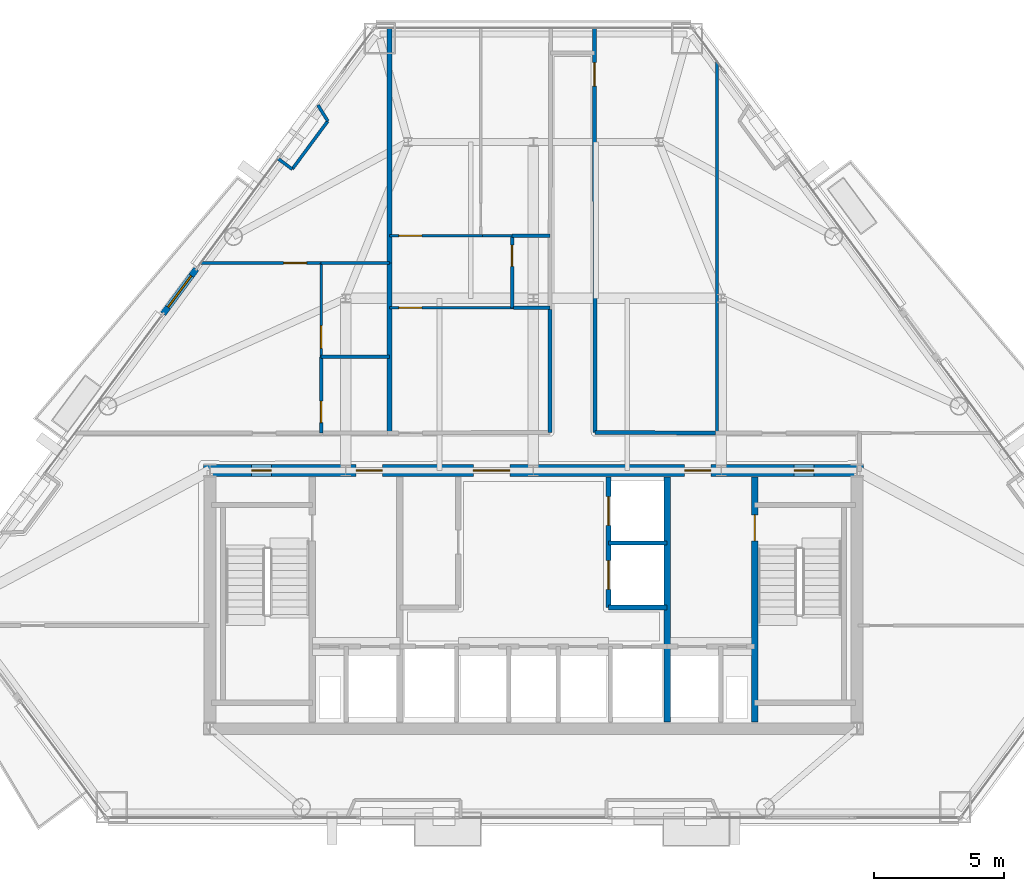
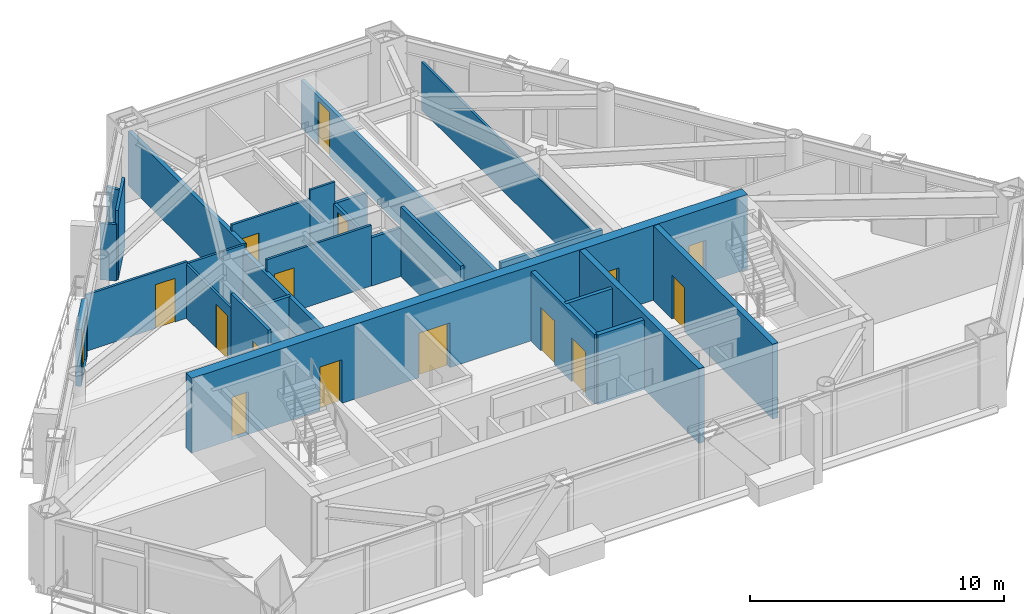
# One storey, part 9 of 13: 27 walls, 16 doors, 16 openings.
"""IFC4 building model written with IfcOpenShell, lengths in metres."""

from ifc_helpers import new_model, si_unit, direction, frame, frame_2d, origin, place, context, subcontext, project, spatial, rectangle, extrude, material, layer, layer_set, type_object, element, fill, save


model = new_model("IFC4")

# Units and contexts
model_context = context("Model", 3, precision=1e-05, world=origin(), true_north=direction((0.0, 1.0)))
body_context = subcontext(model_context, "Body", "Model", "MODEL_VIEW")
ifc_project = project(units=[si_unit("LENGTHUNIT", "METRE"), si_unit("AREAUNIT", "SQUARE_METRE"), si_unit("VOLUMEUNIT", "CUBIC_METRE"), si_unit("PLANEANGLEUNIT", "RADIAN"), si_unit("MASSUNIT", "GRAM", prefix="KILO")], contexts=[model_context])

# Site, building, storey
site_placement = place(None, origin())
site = spatial("IfcSite", under=ifc_project, at=site_placement, CompositionType="ELEMENT")
building_placement = place(site_placement, origin())
building = spatial("IfcBuilding", under=site, at=building_placement, Name="Talgorran Terracotta Tower", CompositionType="ELEMENT")
storey_placement = place(building_placement, frame((0.0, 0.0, 106.800048828125)))
storey = spatial("IfcBuildingStorey", under=building, at=storey_placement, Name="L27", CompositionType="ELEMENT", Elevation=106.800048828125)

# Wall, opening, door
ifc_material_1 = material(Name="Concrete C40/50", Category="concrete")
ifc_layer_1 = layer(ifc_material_1, 0.239990234375, Name="WT_BALCONY_SPAND")
ifc_layer_set_1 = layer_set([ifc_layer_1], Name="Concrete C40/50")
wall_type_1 = type_object("IfcWallType", Name="WT_BALCONY_SPAND", PredefinedType="STANDARD", material=ifc_layer_set_1)
wall_1_placement = place(storey_placement, frame((-12.92626953125, 3.52783203125, -0.01513671875), z_axis=(0.0, 0.0, 1.0), x_axis=(-0.594840056707, -0.803844081235, 0.0)))
wall_1 = element("IfcWall", 1, at=wall_1_placement, inside=storey, type_object=wall_type_1, Name="WL-L27-BALP-BAL-NW", PredefinedType="STANDARD", context=body_context, shape_type="SweptSolid", body=[
    extrude(rectangle(XDim=2.139892578125, YDim=0.239990234375, at=frame_2d((1.06982421875, 0.0))), origin(), (0.0, 0.0, 1.0), 2.728515625),
])
opening_1_placement = place(wall_1_placement, frame((0.320068359375, 0.0, 0.014892578125)))
opening_1 = element("IfcOpeningElement", 2, at=opening_1_placement, cuts=wall_1, Name="Opening D-BAL-L27-2", PredefinedType="OPENING", context=body_context, shape_type="SweptSolid", body=[
    extrude(rectangle(XDim=1.506, YDim=2.203951171875, at=frame_2d((0.75, 1.10205078125))), frame((0.0, 0.1298828125, 0.0), z_axis=(0.0, -1.0, 0.0), x_axis=(1.0, 0.0, 0.0)), (0.0, 0.0, 1.0), 0.260009765625),
])
ifc_material_2 = material(Name="Thermally Broken Aluminium", Category="aluminium")
door_type_1 = type_object("IfcDoorType", Name="DT_BALC_1500", OperationType="SLIDING_TO_RIGHT", PredefinedType="DOOR", material=ifc_material_2)
door_1_placement = place(opening_1_placement, origin())
door_1 = element("IfcDoor", 3, at=door_1_placement, inside=storey, type_object=door_type_1, Name="DR-L27-BAL-BAL-NW", OperationType="SLIDING_TO_RIGHT", OverallHeight=2.199951171875, OverallWidth=1.5, PredefinedType="DOOR", context=body_context, shape_type="SweptSolid", body=[
    extrude(rectangle(XDim=1.5, YDim=2.199951171875, at=frame_2d((0.75, 1.10009765625))), frame((0.0, 0.02490234375, 0.0), z_axis=(0.0, -1.0, 0.0), x_axis=(1.0, 0.0, 0.0)), (0.0, 0.0, 1.0), 0.050048828125),
])
fill(opening_1, door_1)

# Wall, openings, doors
ifc_material_3 = material(Name="Concrete C50/60", Category="concrete")
ifc_layer_2 = layer(ifc_material_3, 0.199951171875, Name="WT_CORE_200")
ifc_layer_set_2 = layer_set([ifc_layer_2], Name="Concrete C50/60")
wall_type_2 = type_object("IfcWallType", Name="WT_CORE_200", PredefinedType="SOLIDWALL", material=ifc_layer_set_2)
wall_2_placement = place(storey_placement, frame((2.8798828125, -9.449951171875, 0.0), z_axis=(0.0, 0.0, 1.0), x_axis=(0.0, 1.0, 0.0)))
wall_2 = element("IfcWall", 4, at=wall_2_placement, inside=storey, type_object=wall_type_2, Name="WL-L27-CW-V-E3", PredefinedType="SOLIDWALL", context=body_context, shape_type="SweptSolid", body=[
    extrude(rectangle(XDim=5.0, YDim=0.199951171875, at=frame_2d((2.5, 0.0))), origin(), (0.0, 0.0, 1.0), 3.349853515625),
])
opening_2_placement = place(wall_2_placement, frame((0.699951171875, 0.0, 0.0)))
opening_2 = element("IfcOpeningElement", 5, at=opening_2_placement, cuts=wall_2, Name="Opening LD-PLM1", PredefinedType="OPENING", context=body_context, shape_type="SweptSolid", body=[
    extrude(rectangle(XDim=1.10609765625, YDim=2.10409765625, at=frame_2d((0.550048828125, 1.052001953125))), frame((0.0, 0.10986328125, 0.0), z_axis=(0.0, -1.0, 0.0), x_axis=(1.0, 0.0, 0.0)), (0.0, 0.0, 1.0), 0.219970703125),
])
opening_3_placement = place(wall_2_placement, frame((3.14990234375, 0.0, 0.0)))
opening_3 = element("IfcOpeningElement", 6, at=opening_3_placement, cuts=wall_2, Name="Opening LD-PLM2", PredefinedType="OPENING", context=body_context, shape_type="SweptSolid", body=[
    extrude(rectangle(XDim=1.10609765625, YDim=2.10409765625, at=frame_2d((0.550048828125, 1.052001953125))), frame((0.0, 0.10986328125, 0.0), z_axis=(0.0, -1.0, 0.0), x_axis=(1.0, 0.0, 0.0)), (0.0, 0.0, 1.0), 0.219970703125),
])
ifc_material_4 = material(Name="Brushed Stainless Steel Grade 304", Category="steel")
door_type_2 = type_object("IfcDoorType", Name="DT_LIFT_LD1100", OperationType="DOUBLE_DOOR_SLIDING", PredefinedType="DOOR", material=ifc_material_4)
door_2_placement = place(opening_2_placement, origin())
door_2 = element("IfcDoor", 7, at=door_2_placement, inside=storey, type_object=door_type_2, Name="L27 Lift Landing Door LD-PLM1", OperationType="DOUBLE_DOOR_SLIDING", OverallHeight=2.10009765625, OverallWidth=1.10009765625, PredefinedType="DOOR", context=body_context, shape_type="SweptSolid", body=[
    extrude(rectangle(XDim=1.10009765625, YDim=2.10009765625, at=frame_2d((0.550048828125, 1.050048828125))), frame((0.0, 0.02490234375, 0.0), z_axis=(0.0, -1.0, 0.0), x_axis=(1.0, 0.0, 0.0)), (0.0, 0.0, 1.0), 0.050048828125),
])
fill(opening_2, door_2)
door_3_placement = place(opening_3_placement, origin())
door_3 = element("IfcDoor", 8, at=door_3_placement, inside=storey, type_object=door_type_2, Name="L27 Lift Landing Door LD-PLM2", OperationType="DOUBLE_DOOR_SLIDING", OverallHeight=2.10009765625, OverallWidth=1.10009765625, PredefinedType="DOOR", context=body_context, shape_type="SweptSolid", body=[
    extrude(rectangle(XDim=1.10009765625, YDim=2.10009765625, at=frame_2d((0.550048828125, 1.050048828125))), frame((0.0, 0.02490234375, 0.0), z_axis=(0.0, -1.0, 0.0), x_axis=(1.0, 0.0, 0.0)), (0.0, 0.0, 1.0), 0.050048828125),
])
fill(opening_3, door_3)

# Wall
wall_3_placement = place(storey_placement, frame((2.8798828125, -9.449951171875, 0.0), z_axis=(0.0, 0.0, 1.0), x_axis=(1.0, 0.0, 0.0)))
element("IfcWall", 9, at=wall_3_placement, inside=storey, type_object=wall_type_2, Name="WL-L27-CW-H-E4", PredefinedType="SOLIDWALL", context=body_context, shape_type="SweptSolid", body=[
    extrude(rectangle(XDim=2.240234375, YDim=0.199951171875, at=frame_2d((1.1201171875, 0.0))), origin(), (0.0, 0.0, 1.0), 3.349853515625),
])

# Wall, opening, door
ifc_layer_3 = layer(ifc_material_3, 0.25, Name="WT_CORE_250")
ifc_layer_set_3 = layer_set([ifc_layer_3], Name="Concrete C50/60")
wall_type_3 = type_object("IfcWallType", Name="WT_CORE_250", PredefinedType="SHEAR", material=ifc_layer_set_3)
wall_4_placement = place(storey_placement, frame((8.47998046875, -13.85009765625, 0.0), z_axis=(0.0, 0.0, 1.0), x_axis=(0.0, 1.0, 0.0)))
wall_4 = element("IfcWall", 10, at=wall_4_placement, inside=storey, type_object=wall_type_3, Name="WL-L27-CW-V-E1", PredefinedType="SHEAR", context=body_context, shape_type="SweptSolid", body=[
    extrude(rectangle(XDim=9.400146484375, YDim=0.25, at=frame_2d((4.7001953125, 0.0))), origin(), (0.0, 0.0, 1.0), 3.599853515625),
])
opening_4_placement = place(wall_4_placement, frame((6.949951171875, 0.0, 0.0)))
opening_4 = element("IfcOpeningElement", 11, at=opening_4_placement, cuts=wall_4, Name="Opening DR-ST02", PredefinedType="OPENING", context=body_context, shape_type="SweptSolid", body=[
    extrude(rectangle(XDim=1.006, YDim=2.10409765625, at=frame_2d((0.5, 1.052001953125))), frame((0.0, 0.135009765625, 0.0), z_axis=(0.0, -1.0, 0.0), x_axis=(1.0, 0.0, 0.0)), (0.0, 0.0, 1.0), 0.27001953125),
])
ifc_material_5 = material(Name="Fire-Rated Pressed Steel", Category="steel")
door_type_3 = type_object("IfcDoorType", Name="DT_FIRE_1000", OperationType="NOTDEFINED", PredefinedType="DOOR", material=ifc_material_5)
door_4_placement = place(opening_4_placement, origin())
door_4 = element("IfcDoor", 12, at=door_4_placement, inside=storey, type_object=door_type_3, Name="DR-ST02", OperationType="SINGLE_SWING_RIGHT", OverallHeight=2.10009765625, OverallWidth=1.0, PredefinedType="DOOR", context=body_context, shape_type="SweptSolid", body=[
    extrude(rectangle(XDim=1.0, YDim=2.10009765625, at=frame_2d((0.5, 1.050048828125))), frame((0.0, 0.02490234375, 0.0), z_axis=(0.0, -1.0, 0.0), x_axis=(1.0, 0.0, 0.0)), (0.0, 0.0, 1.0), 0.050048828125),
])
fill(opening_4, door_4)

# Wall
wall_5_placement = place(storey_placement, frame((5.1201171875, -13.85009765625, 0.0), z_axis=(0.0, 0.0, 1.0), x_axis=(0.0, 1.0, 0.0)))
element("IfcWall", 13, at=wall_5_placement, inside=storey, type_object=wall_type_3, Name="WL-L27-CW-V-E2", PredefinedType="SHEAR", context=body_context, shape_type="SweptSolid", body=[
    extrude(rectangle(XDim=9.400146484375, YDim=0.25, at=frame_2d((4.7001953125, 0.0))), origin(), (0.0, 0.0, 1.0), 3.599853515625),
])

# Wall, openings, doors
ifc_material_6 = material(Name="Concrete C65/80", Category="concrete")
ifc_layer_4 = layer(ifc_material_6, 0.449951171875, Name="WT_CORE_EXT")
ifc_layer_set_4 = layer_set([ifc_layer_4], Name="Concrete C65/80")
wall_type_4 = type_object("IfcWallType", Name="WT_CORE_EXT", PredefinedType="SHEAR", material=ifc_layer_set_4)
wall_6_placement = place(storey_placement, frame((-12.64990234375, -4.199951171875, 0.0), z_axis=(0.0, 0.0, 1.0), x_axis=(1.0, 0.0, 0.0)))
wall_6 = element("IfcWall", 14, at=wall_6_placement, inside=storey, type_object=wall_type_4, Name="WL-L27-CW-OUT-N", PredefinedType="SHEAR", context=body_context, shape_type="SweptSolid", body=[
    extrude(rectangle(XDim=25.2998046875, YDim=0.449951171875, at=frame_2d((12.64990234375, 0.0))), origin(), (0.0, 0.0, 1.0), 3.599853515625),
])
opening_5_placement = place(wall_6_placement, frame((1.85009765625, 0.0, 0.0)))
opening_5 = element("IfcOpeningElement", 15, at=opening_5_placement, cuts=wall_6, Name="Opening DR-CSN1", PredefinedType="OPENING", context=body_context, shape_type="SweptSolid", body=[
    extrude(rectangle(XDim=0.756, YDim=2.054048828125, at=frame_2d((0.375, 1.027099609375))), frame((0.0, 0.23486328125, 0.0), z_axis=(0.0, -1.0, 0.0), x_axis=(1.0, 0.0, 0.0)), (0.0, 0.0, 1.0), 0.469970703125),
])
opening_6_placement = place(wall_6_placement, frame((22.64990234375, 0.0, 0.0)))
opening_6 = element("IfcOpeningElement", 16, at=opening_6_placement, cuts=wall_6, Name="Opening DR-CSN2", PredefinedType="OPENING", context=body_context, shape_type="SweptSolid", body=[
    extrude(rectangle(XDim=0.756, YDim=2.054048828125, at=frame_2d((0.375, 1.027099609375))), frame((0.0, 0.23486328125, 0.0), z_axis=(0.0, -1.0, 0.0), x_axis=(1.0, 0.0, 0.0)), (0.0, 0.0, 1.0), 0.469970703125),
])
opening_7_placement = place(wall_6_placement, frame((5.85009765625, 0.0, 0.0)))
opening_7 = element("IfcOpeningElement", 17, at=opening_7_placement, cuts=wall_6, Name="Opening DR-FFLW-N", PredefinedType="OPENING", context=body_context, shape_type="SweptSolid", body=[
    extrude(rectangle(XDim=1.006, YDim=2.10409765625, at=frame_2d((0.5, 1.052001953125))), frame((0.0, 0.23486328125, 0.0), z_axis=(0.0, -1.0, 0.0), x_axis=(1.0, 0.0, 0.0)), (0.0, 0.0, 1.0), 0.469970703125),
])
opening_8_placement = place(wall_6_placement, frame((10.35009765625, 0.0, 0.0)))
opening_8 = element("IfcOpeningElement", 18, at=opening_8_placement, cuts=wall_6, Name="Opening DR-PLL-N", PredefinedType="OPENING", context=body_context, shape_type="SweptSolid", body=[
    extrude(rectangle(XDim=1.40590234375, YDim=2.15390234375, at=frame_2d((0.699951171875, 1.076904296875))), frame((0.0, 0.23486328125, 0.0), z_axis=(0.0, -1.0, 0.0), x_axis=(1.0, 0.0, 0.0)), (0.0, 0.0, 1.0), 0.469970703125),
])
opening_9_placement = place(wall_6_placement, frame((18.449951171875, 0.0, 0.0)))
opening_9 = element("IfcOpeningElement", 19, at=opening_9_placement, cuts=wall_6, Name="Opening DR-FFLE-N", PredefinedType="OPENING", context=body_context, shape_type="SweptSolid", body=[
    extrude(rectangle(XDim=1.006, YDim=2.10409765625, at=frame_2d((0.5, 1.052001953125))), frame((0.0, 0.23486328125, 0.0), z_axis=(0.0, -1.0, 0.0), x_axis=(1.0, 0.0, 0.0)), (0.0, 0.0, 1.0), 0.469970703125),
])
ifc_material_7 = material(Name="Acoustic Glazed Timber", Category="wood")
door_type_4 = type_object("IfcDoorType", Name="DT_DOUBLE_1400", OperationType="DOUBLE_DOOR_SINGLE_SWING", PredefinedType="DOOR", material=ifc_material_7)
door_5_placement = place(opening_8_placement, origin())
door_5 = element("IfcDoor", 20, at=door_5_placement, inside=storey, type_object=door_type_4, Name="DR-PLL-N", OperationType="DOUBLE_DOOR_SINGLE_SWING", OverallHeight=2.14990234375, OverallWidth=1.39990234375, PredefinedType="DOOR", context=body_context, shape_type="SweptSolid", body=[
    extrude(rectangle(XDim=1.39990234375, YDim=2.14990234375, at=frame_2d((0.699951171875, 1.074951171875))), frame((0.0, 0.02490234375, 0.0), z_axis=(0.0, -1.0, 0.0), x_axis=(1.0, 0.0, 0.0)), (0.0, 0.0, 1.0), 0.050048828125),
])
fill(opening_8, door_5)
door_6_placement = place(opening_7_placement, origin())
door_6 = element("IfcDoor", 21, at=door_6_placement, inside=storey, type_object=door_type_3, Name="DR-FFLW-N", OperationType="SINGLE_SWING_LEFT", OverallHeight=2.10009765625, OverallWidth=1.0, PredefinedType="DOOR", context=body_context, shape_type="SweptSolid", body=[
    extrude(rectangle(XDim=1.0, YDim=2.10009765625, at=frame_2d((0.5, 1.050048828125))), frame((0.0, 0.02490234375, 0.0), z_axis=(0.0, -1.0, 0.0), x_axis=(1.0, 0.0, 0.0)), (0.0, 0.0, 1.0), 0.050048828125),
])
fill(opening_7, door_6)
door_7_placement = place(opening_9_placement, origin())
door_7 = element("IfcDoor", 22, at=door_7_placement, inside=storey, type_object=door_type_3, Name="DR-FFLE-N", OperationType="SINGLE_SWING_RIGHT", OverallHeight=2.10009765625, OverallWidth=1.0, PredefinedType="DOOR", context=body_context, shape_type="SweptSolid", body=[
    extrude(rectangle(XDim=1.0, YDim=2.10009765625, at=frame_2d((0.5, 1.050048828125))), frame((0.0, 0.02490234375, 0.0), z_axis=(0.0, -1.0, 0.0), x_axis=(1.0, 0.0, 0.0)), (0.0, 0.0, 1.0), 0.050048828125),
])
fill(opening_9, door_7)
door_type_5 = type_object("IfcDoorType", Name="DT_RISER_750", OperationType="NOTDEFINED", PredefinedType="DOOR", material=ifc_material_5)
door_8_placement = place(opening_5_placement, origin())
door_8 = element("IfcDoor", 23, at=door_8_placement, inside=storey, type_object=door_type_5, Name="DR-CSN1", OperationType="SINGLE_SWING_LEFT", OverallHeight=2.050048828125, OverallWidth=0.75, PredefinedType="DOOR", context=body_context, shape_type="SweptSolid", body=[
    extrude(rectangle(XDim=0.75, YDim=2.050048828125, at=frame_2d((0.375, 1.02490234375))), frame((0.0, 0.02490234375, 0.0), z_axis=(0.0, -1.0, 0.0), x_axis=(1.0, 0.0, 0.0)), (0.0, 0.0, 1.0), 0.050048828125),
])
fill(opening_5, door_8)
door_9_placement = place(opening_6_placement, origin())
door_9 = element("IfcDoor", 24, at=door_9_placement, inside=storey, type_object=door_type_5, Name="DR-CSN2", OperationType="SINGLE_SWING_RIGHT", OverallHeight=2.050048828125, OverallWidth=0.75, PredefinedType="DOOR", context=body_context, shape_type="SweptSolid", body=[
    extrude(rectangle(XDim=0.75, YDim=2.050048828125, at=frame_2d((0.375, 1.02490234375))), frame((0.0, 0.02490234375, 0.0), z_axis=(0.0, -1.0, 0.0), x_axis=(1.0, 0.0, 0.0)), (0.0, 0.0, 1.0), 0.050048828125),
])
fill(opening_6, door_9)

# Wall, opening, door
ifc_material_8 = material(Name="Fire-Rated Steel Stud Plasterboard", Category="steel")
ifc_layer_5 = layer(ifc_material_8, 0.14990234375, Name="WT_FIRE_150")
ifc_layer_set_5 = layer_set([ifc_layer_5], Name="Fire-Rated Steel Stud Plasterboard")
wall_type_5 = type_object("IfcWallType", Name="WT_FIRE_150", PredefinedType="PARTITIONING", material=ifc_layer_set_5)
wall_7_placement = place(storey_placement, frame((2.338623046875, 12.76220703125, 0.0), z_axis=(0.0, 0.0, 1.0), x_axis=(0.001385890916, -0.999999039653, 0.0)))
wall_7 = element("IfcWall", 25, at=wall_7_placement, inside=storey, type_object=wall_type_5, Name="WL-L27-W-L27-R09", PredefinedType="PARTITIONING", context=body_context, shape_type="SweptSolid", body=[
    extrude(rectangle(XDim=15.502197265625, YDim=0.14990234375, at=frame_2d((7.7509765625, 0.0))), origin(), (0.0, 0.0, 1.0), 2.324951171875),
])
opening_10_placement = place(wall_7_placement, frame((1.321533203125, 0.0, 0.0)))
opening_10 = element("IfcOpeningElement", 26, at=opening_10_placement, cuts=wall_7, Name="Opening DR-L27-R10", PredefinedType="OPENING", context=body_context, shape_type="SweptSolid", body=[
    extrude(rectangle(XDim=0.90590234375, YDim=2.10409765625, at=frame_2d((0.449951171875, 1.052001953125))), frame((0.0, 0.0849609375, 0.0), z_axis=(0.0, -1.0, 0.0), x_axis=(1.0, 0.0, 0.0)), (0.0, 0.0, 1.0), 0.169921875),
])
ifc_material_9 = material(Name="Fire-Rated Timber Core", Category="wood")
door_type_6 = type_object("IfcDoorType", Name="DT_FIRE_900", OperationType="NOTDEFINED", PredefinedType="DOOR", material=ifc_material_9)
door_10_placement = place(opening_10_placement, origin())
door_10 = element("IfcDoor", 27, at=door_10_placement, inside=storey, type_object=door_type_6, Name="DR-L27-R10", OperationType="SINGLE_SWING_RIGHT", OverallHeight=2.10009765625, OverallWidth=0.89990234375, PredefinedType="DOOR", context=body_context, shape_type="SweptSolid", body=[
    extrude(rectangle(XDim=0.89990234375, YDim=2.10009765625, at=frame_2d((0.449951171875, 1.050048828125))), frame((0.0, 0.02490234375, 0.0), z_axis=(0.0, -1.0, 0.0), x_axis=(1.0, 0.0, 0.0)), (0.0, 0.0, 1.0), 0.050048828125),
])
fill(opening_10, door_10)

# Walls
wall_8_placement = place(storey_placement, frame((0.639892578125, -2.739990234375, 0.0), z_axis=(0.0, 0.0, 1.0), x_axis=(0.0, 1.0, 0.0)))
element("IfcWall", 28, at=wall_8_placement, inside=storey, type_object=wall_type_5, Name="WL-L27-W-L27-R04", PredefinedType="PARTITIONING", context=body_context, shape_type="SweptSolid", body=[
    extrude(rectangle(XDim=4.718017578125, YDim=0.14990234375, at=frame_2d((2.35888671875, 0.0))), origin(), (0.0, 0.0, 1.0), 3.349853515625),
])
wall_9_placement = place(storey_placement, frame((2.360107421875, -2.739990234375, 0.0), z_axis=(0.0, 0.0, 1.0), x_axis=(0.999991056007, -0.0042294097, 0.0)))
element("IfcWall", 29, at=wall_9_placement, inside=storey, type_object=wall_type_5, Name="WL-L27-W-L27-R10", PredefinedType="PARTITIONING", context=body_context, shape_type="SweptSolid", body=[
    extrude(rectangle(XDim=4.617919921875, YDim=0.14990234375, at=frame_2d((2.30908203125, 0.0))), origin(), (0.0, 0.0, 1.0), 2.91845703125),
])
ifc_material_10 = material(Name="Acoustic Stud and Plasterboard")
ifc_layer_6 = layer(ifc_material_10, 0.179931640625, Name="WT_PARTY_200")
ifc_layer_set_6 = layer_set([ifc_layer_6], Name="Acoustic Stud and Plasterboard")
wall_type_6 = type_object("IfcWallType", Name="WT_PARTY_200", PredefinedType="PARTITIONING", material=ifc_layer_set_6)
wall_10_placement = place(storey_placement, frame((-5.52001953125, 3.760009765625, 0.0), z_axis=(0.0, 0.0, 1.0), x_axis=(0.0, 1.0, 0.0)))
element("IfcWall", 30, at=wall_10_placement, inside=storey, type_object=wall_type_6, Name="WL-L27-W-L27-R23", PredefinedType="PARTITIONING", context=body_context, shape_type="SweptSolid", body=[
    extrude(rectangle(XDim=9.002197265625, YDim=0.179931640625, at=frame_2d((4.5009765625, 0.0))), origin(), (0.0, 0.0, 1.0), 2.616943359375),
])
wall_11_placement = place(storey_placement, frame((-5.52001953125, -2.760009765625, 0.0), z_axis=(0.0, 0.0, 1.0), x_axis=(0.0, 1.0, 0.0)))
element("IfcWall", 31, at=wall_11_placement, inside=storey, type_object=wall_type_6, Name="WL-L27-W-L27-R16", PredefinedType="PARTITIONING", context=body_context, shape_type="SweptSolid", body=[
    extrude(rectangle(XDim=6.52001953125, YDim=0.179931640625, at=frame_2d((3.260009765625, 0.0))), origin(), (0.0, 0.0, 1.0), 2.324951171875),
])
ifc_material_11 = material(Name="Lightweight Steel Stud Partition", Category="steel")
ifc_layer_7 = layer(ifc_material_11, 0.10498046875, Name="WT_PART_110")
ifc_layer_set_7 = layer_set([ifc_layer_7], Name="Lightweight Steel Stud Partition")
wall_type_7 = type_object("IfcWallType", Name="WT_PART_110", PredefinedType="PARTITIONING", material=ifc_layer_set_7)
wall_12_placement = place(storey_placement, frame((7.0400390625, -2.760009765625, 0.0), z_axis=(0.0, 0.0, 1.0), x_axis=(0.0, 1.0, 0.0)))
element("IfcWall", 32, at=wall_12_placement, inside=storey, type_object=wall_type_7, Name="WL-L27-W-L27-R31", PredefinedType="PARTITIONING", context=body_context, shape_type="SweptSolid", body=[
    extrude(rectangle(XDim=14.24072265625, YDim=0.10498046875, at=frame_2d((7.120361328125, 0.0))), origin(), (0.0, 0.0, 1.0), 2.324951171875),
])

# Wall, opening, door
wall_13_placement = place(storey_placement, frame((-5.52001953125, 2.0400390625, 0.0), z_axis=(0.0, 0.0, 1.0), x_axis=(1.0, 0.0, 0.0)))
wall_13 = element("IfcWall", 33, at=wall_13_placement, inside=storey, type_object=wall_type_7, Name="WL-L27-W-L27-R25", PredefinedType="PARTITIONING", context=body_context, shape_type="SweptSolid", body=[
    extrude(rectangle(XDim=4.760009765625, YDim=0.10498046875, at=frame_2d((2.3798828125, 0.0))), origin(), (0.0, 0.0, 1.0), 2.91845703125),
])
opening_11_placement = place(wall_13_placement, frame((0.360107421875, 0.0, 0.0)))
opening_11 = element("IfcOpeningElement", 34, at=opening_11_placement, cuts=wall_13, Name="Opening DR-L27-R07", PredefinedType="OPENING", context=body_context, shape_type="SweptSolid", body=[
    extrude(rectangle(XDim=0.8858828125, YDim=2.10409765625, at=frame_2d((0.43994140625, 1.052001953125))), frame((0.0, 0.0625, 0.0), z_axis=(0.0, -1.0, 0.0), x_axis=(1.0, 0.0, 0.0)), (0.0, 0.0, 1.0), 0.125),
])
ifc_material_12 = material(Name="Solid-Core Painted Timber", Category="wood")
door_type_7 = type_object("IfcDoorType", Name="DT_INT_880", OperationType="NOTDEFINED", PredefinedType="DOOR", material=ifc_material_12)
door_11_placement = place(opening_11_placement, origin())
door_11 = element("IfcDoor", 35, at=door_11_placement, inside=storey, type_object=door_type_7, Name="DR-L27-R07", OperationType="SINGLE_SWING_LEFT", OverallHeight=2.10009765625, OverallWidth=0.8798828125, PredefinedType="DOOR", context=body_context, shape_type="SweptSolid", body=[
    extrude(rectangle(XDim=0.8798828125, YDim=2.10009765625, at=frame_2d((0.43994140625, 1.050048828125))), frame((0.0, 0.02490234375, 0.0), z_axis=(0.0, -1.0, 0.0), x_axis=(1.0, 0.0, 0.0)), (0.0, 0.0, 1.0), 0.050048828125),
])
fill(opening_11, door_11)

wall_14_placement = place(storey_placement, frame((-12.75439453125, 3.760009765625, 0.0), z_axis=(0.0, 0.0, 1.0), x_axis=(1.0, 0.0, 0.0)))
wall_14 = element("IfcWall", 36, at=wall_14_placement, inside=storey, type_object=wall_type_7, Name="WL-L27-W-L27-R21", PredefinedType="PARTITIONING", context=body_context, shape_type="SweptSolid", body=[
    extrude(rectangle(XDim=4.614501953125, YDim=0.10498046875, at=frame_2d((2.30712890625, 0.0))), origin(), (0.0, 0.0, 1.0), 2.71337890625),
])
opening_12_placement = place(wall_14_placement, frame((3.175048828125, 0.0, 0.0)))
opening_12 = element("IfcOpeningElement", 37, at=opening_12_placement, cuts=wall_14, Name="Opening DR-L27-R04", PredefinedType="OPENING", context=body_context, shape_type="SweptSolid", body=[
    extrude(rectangle(XDim=0.8858828125, YDim=2.10409765625, at=frame_2d((0.43994140625, 1.052001953125))), frame((0.0, 0.0625, 0.0), z_axis=(0.0, -1.0, 0.0), x_axis=(1.0, 0.0, 0.0)), (0.0, 0.0, 1.0), 0.125),
])
door_12_placement = place(opening_12_placement, origin())
door_12 = element("IfcDoor", 38, at=door_12_placement, inside=storey, type_object=door_type_7, Name="DR-L27-R04", OperationType="SINGLE_SWING_RIGHT", OverallHeight=2.10009765625, OverallWidth=0.8798828125, PredefinedType="DOOR", context=body_context, shape_type="SweptSolid", body=[
    extrude(rectangle(XDim=0.8798828125, YDim=2.10009765625, at=frame_2d((0.43994140625, 1.050048828125))), frame((0.0, 0.02490234375, 0.0), z_axis=(0.0, -1.0, 0.0), x_axis=(1.0, 0.0, 0.0)), (0.0, 0.0, 1.0), 0.050048828125),
])
fill(opening_12, door_12)

wall_15_placement = place(storey_placement, frame((-8.139892578125, 0.159912109375, 0.0), z_axis=(0.0, 0.0, 1.0), x_axis=(0.0, 1.0, 0.0)))
wall_15 = element("IfcWall", 39, at=wall_15_placement, inside=storey, type_object=wall_type_7, Name="WL-L27-W-L27-R17", PredefinedType="PARTITIONING", context=body_context, shape_type="SweptSolid", body=[
    extrude(rectangle(XDim=3.60009765625, YDim=0.10498046875, at=frame_2d((1.800048828125, 0.0))), origin(), (0.0, 0.0, 1.0), 2.616943359375),
])
opening_13_placement = place(wall_15_placement, frame((0.320068359375, 0.0, 0.0)))
opening_13 = element("IfcOpeningElement", 40, at=opening_13_placement, cuts=wall_15, Name="Opening DR-L27-R02", PredefinedType="OPENING", context=body_context, shape_type="SweptSolid", body=[
    extrude(rectangle(XDim=0.8858828125, YDim=2.10409765625, at=frame_2d((0.43994140625, 1.052001953125))), frame((0.0, 0.0625, 0.0), z_axis=(0.0, -1.0, 0.0), x_axis=(1.0, 0.0, 0.0)), (0.0, 0.0, 1.0), 0.125),
])
door_13_placement = place(opening_13_placement, origin())
door_13 = element("IfcDoor", 41, at=door_13_placement, inside=storey, type_object=door_type_7, Name="DR-L27-R02", OperationType="SINGLE_SWING_RIGHT", OverallHeight=2.10009765625, OverallWidth=0.8798828125, PredefinedType="DOOR", context=body_context, shape_type="SweptSolid", body=[
    extrude(rectangle(XDim=0.8798828125, YDim=2.10009765625, at=frame_2d((0.43994140625, 1.050048828125))), frame((0.0, 0.02490234375, 0.0), z_axis=(0.0, -1.0, 0.0), x_axis=(1.0, 0.0, 0.0)), (0.0, 0.0, 1.0), 0.050048828125),
])
fill(opening_13, door_13)

wall_16_placement = place(storey_placement, frame((-5.52001953125, 4.800048828125, 0.0), z_axis=(0.0, 0.0, 1.0), x_axis=(1.0, 0.0, 0.0)))
wall_16 = element("IfcWall", 42, at=wall_16_placement, inside=storey, type_object=wall_type_7, Name="WL-L27-W-L27-R28", PredefinedType="PARTITIONING", context=body_context, shape_type="SweptSolid", body=[
    extrude(rectangle(XDim=3.56005859375, YDim=0.10498046875, at=frame_2d((1.780029296875, 0.0))), origin(), (0.0, 0.0, 1.0), 2.91845703125),
])
opening_14_placement = place(wall_16_placement, frame((0.360107421875, 0.0, 0.0)))
opening_14 = element("IfcOpeningElement", 43, at=opening_14_placement, cuts=wall_16, Name="Opening DR-L27-R08", PredefinedType="OPENING", context=body_context, shape_type="SweptSolid", body=[
    extrude(rectangle(XDim=0.8858828125, YDim=2.10409765625, at=frame_2d((0.43994140625, 1.052001953125))), frame((0.0, 0.0625, 0.0), z_axis=(0.0, -1.0, 0.0), x_axis=(1.0, 0.0, 0.0)), (0.0, 0.0, 1.0), 0.125),
])
door_14_placement = place(opening_14_placement, origin())
door_14 = element("IfcDoor", 44, at=door_14_placement, inside=storey, type_object=door_type_7, Name="DR-L27-R08", OperationType="SINGLE_SWING_RIGHT", OverallHeight=2.10009765625, OverallWidth=0.8798828125, PredefinedType="DOOR", context=body_context, shape_type="SweptSolid", body=[
    extrude(rectangle(XDim=0.8798828125, YDim=2.10009765625, at=frame_2d((0.43994140625, 1.050048828125))), frame((0.0, 0.02490234375, 0.0), z_axis=(0.0, -1.0, 0.0), x_axis=(1.0, 0.0, 0.0)), (0.0, 0.0, 1.0), 0.050048828125),
])
fill(opening_14, door_14)

# Walls
wall_17_placement = place(storey_placement, frame((-8.139892578125, 3.760009765625, 0.0), z_axis=(0.0, 0.0, 1.0), x_axis=(1.0, 0.0, 0.0)))
element("IfcWall", 45, at=wall_17_placement, inside=storey, type_object=wall_type_7, Name="WL-L27-W-L27-R18", PredefinedType="PARTITIONING", context=body_context, shape_type="SweptSolid", body=[
    extrude(rectangle(XDim=2.619873046875, YDim=0.10498046875, at=frame_2d((1.31005859375, 0.0))), origin(), (0.0, 0.0, 1.0), 2.616943359375),
])
wall_18_placement = place(storey_placement, frame((-1.9580078125, 4.800048828125, 0.0), z_axis=(0.0, 0.0, 1.0), x_axis=(1.0, 0.0, 0.0)))
element("IfcWall", 46, at=wall_18_placement, inside=storey, type_object=wall_type_7, Name="WL-L27-W-L27-R29", PredefinedType="PARTITIONING", context=body_context, shape_type="SweptSolid", body=[
    extrude(rectangle(XDim=1.137939453125, YDim=0.10498046875, at=frame_2d((0.56884765625, 0.0))), origin(), (0.0, 0.0, 1.0), 3.349853515625),
])
ifc_material_13 = material(Name="Insulated Steel Stud Plasterboard", Category="steel")
ifc_layer_8 = layer(ifc_material_13, 0.1201171875, Name="WT_PART_120")
ifc_layer_set_8 = layer_set([ifc_layer_8], Name="Insulated Steel Stud Plasterboard")
wall_type_8 = type_object("IfcWallType", Name="WT_PART_120", PredefinedType="PARTITIONING", material=ifc_layer_set_8)
wall_19_placement = place(storey_placement, frame((-7.8837890625, 9.197509765625, 0.0), z_axis=(0.0, 0.0, 1.0), x_axis=(-0.594914508596, -0.803788981924, 0.0)))
element("IfcWall", 47, at=wall_19_placement, inside=storey, type_object=wall_type_8, Name="WL-L27-BW-L27-14", PredefinedType="PARTITIONING", context=body_context, shape_type="SweptSolid", body=[
    extrude(rectangle(XDim=2.29443359375, YDim=0.1201171875, at=frame_2d((1.147216796875, 0.0))), origin(), (0.0, 0.0, 1.0), 3.349853515625),
])
wall_20_placement = place(storey_placement, frame((-8.264404296875, 9.8095703125, 0.0), z_axis=(0.0, 0.0, 1.0), x_axis=(0.528079385195, -0.849195008777, 0.0)))
element("IfcWall", 48, at=wall_20_placement, inside=storey, type_object=wall_type_8, Name="WL-L27-BW-L27-13", PredefinedType="PARTITIONING", context=body_context, shape_type="SweptSolid", body=[
    extrude(rectangle(XDim=0.720703125, YDim=0.1201171875, at=frame_2d((0.3603515625, 0.0))), origin(), (0.0, 0.0, 1.0), 2.71337890625),
])
wall_21_placement = place(storey_placement, frame((-9.248779296875, 7.353271484375, 0.0), z_axis=(0.0, 0.0, 1.0), x_axis=(-0.803744328022, 0.594974835748, 0.0)))
element("IfcWall", 49, at=wall_21_placement, inside=storey, type_object=wall_type_8, Name="WL-L27-BW-L27-15", PredefinedType="PARTITIONING", context=body_context, shape_type="SweptSolid", body=[
    extrude(rectangle(XDim=0.670166015625, YDim=0.1201171875, at=frame_2d((0.3349609375, 0.0))), origin(), (0.0, 0.0, 1.0), 2.71337890625),
])

# Wall, opening, door
ifc_material_14 = material(Name="Moisture-Resistant Stud Wall")
ifc_layer_9 = layer(ifc_material_14, 0.135009765625, Name="WT_PART_135")
ifc_layer_set_9 = layer_set([ifc_layer_9], Name="Moisture-Resistant Stud Wall")
wall_type_9 = type_object("IfcWallType", Name="WT_PART_135", PredefinedType="PARTITIONING", material=ifc_layer_set_9)
wall_22_placement = place(storey_placement, frame((-8.139892578125, -2.760009765625, 0.0), z_axis=(0.0, 0.0, 1.0), x_axis=(0.0, 1.0, 0.0)))
wall_22 = element("IfcWall", 50, at=wall_22_placement, inside=storey, type_object=wall_type_9, Name="WL-L27-W-L27-R15", PredefinedType="PARTITIONING", context=body_context, shape_type="SweptSolid", body=[
    extrude(rectangle(XDim=2.919921875, YDim=0.135009765625, at=frame_2d((1.4599609375, 0.0))), origin(), (0.0, 0.0, 1.0), 3.349853515625),
])
opening_15_placement = place(wall_22_placement, frame((0.39697265625, 0.0, 0.0)))
opening_15 = element("IfcOpeningElement", 51, at=opening_15_placement, cuts=wall_22, Name="Opening DR-L27-R01", PredefinedType="OPENING", context=body_context, shape_type="SweptSolid", body=[
    extrude(rectangle(XDim=0.826068359375, YDim=2.10409765625, at=frame_2d((0.41015625, 1.052001953125))), frame((0.0, 0.07763671875, 0.0), z_axis=(0.0, -1.0, 0.0), x_axis=(1.0, 0.0, 0.0)), (0.0, 0.0, 1.0), 0.155029296875),
])
ifc_material_15 = material(Name="Moisture-Resistant Solid Timber", Category="wood")
door_type_8 = type_object("IfcDoorType", Name="DT_INT_820", OperationType="NOTDEFINED", PredefinedType="DOOR", material=ifc_material_15)
door_15_placement = place(opening_15_placement, origin())
door_15 = element("IfcDoor", 52, at=door_15_placement, inside=storey, type_object=door_type_8, Name="DR-L27-R01", OperationType="SINGLE_SWING_LEFT", OverallHeight=2.10009765625, OverallWidth=0.820068359375, PredefinedType="DOOR", context=body_context, shape_type="SweptSolid", body=[
    extrude(rectangle(XDim=0.820068359375, YDim=2.10009765625, at=frame_2d((0.41015625, 1.050048828125))), frame((0.0, 0.02490234375, 0.0), z_axis=(0.0, -1.0, 0.0), x_axis=(1.0, 0.0, 0.0)), (0.0, 0.0, 1.0), 0.050048828125),
])
fill(opening_15, door_15)

wall_23_placement = place(storey_placement, frame((-0.820068359375, 2.0400390625, 0.0), z_axis=(0.0, 0.0, 1.0), x_axis=(0.0, 1.0, 0.0)))
wall_23 = element("IfcWall", 53, at=wall_23_placement, inside=storey, type_object=wall_type_9, Name="WL-L27-W-L27-R26", PredefinedType="PARTITIONING", context=body_context, shape_type="SweptSolid", body=[
    extrude(rectangle(XDim=2.760009765625, YDim=0.135009765625, at=frame_2d((1.3798828125, 0.0))), origin(), (0.0, 0.0, 1.0), 2.324951171875),
])
opening_16_placement = place(wall_23_placement, frame((1.582763671875, 0.0, 0.0)))
opening_16 = element("IfcOpeningElement", 54, at=opening_16_placement, cuts=wall_23, Name="Opening DR-L27-R06", PredefinedType="OPENING", context=body_context, shape_type="SweptSolid", body=[
    extrude(rectangle(XDim=0.826068359375, YDim=2.10409765625, at=frame_2d((0.41015625, 1.052001953125))), frame((0.0, 0.07763671875, 0.0), z_axis=(0.0, -1.0, 0.0), x_axis=(1.0, 0.0, 0.0)), (0.0, 0.0, 1.0), 0.155029296875),
])
door_16_placement = place(opening_16_placement, origin())
door_16 = element("IfcDoor", 55, at=door_16_placement, inside=storey, type_object=door_type_8, Name="DR-L27-R06", OperationType="SINGLE_SWING_RIGHT", OverallHeight=2.10009765625, OverallWidth=0.820068359375, PredefinedType="DOOR", context=body_context, shape_type="SweptSolid", body=[
    extrude(rectangle(XDim=0.820068359375, YDim=2.10009765625, at=frame_2d((0.41015625, 1.050048828125))), frame((0.0, 0.02490234375, 0.0), z_axis=(0.0, -1.0, 0.0), x_axis=(1.0, 0.0, 0.0)), (0.0, 0.0, 1.0), 0.050048828125),
])
fill(opening_16, door_16)

# Walls
wall_24_placement = place(storey_placement, frame((-8.139892578125, 0.159912109375, 0.0), z_axis=(0.0, 0.0, 1.0), x_axis=(1.0, 0.0, 0.0)))
element("IfcWall", 56, at=wall_24_placement, inside=storey, type_object=wall_type_9, Name="WL-L27-W-L27-R14", PredefinedType="PARTITIONING", context=body_context, shape_type="SweptSolid", body=[
    extrude(rectangle(XDim=2.619873046875, YDim=0.135009765625, at=frame_2d((1.31005859375, 0.0))), origin(), (0.0, 0.0, 1.0), 2.324951171875),
])
wall_25_placement = place(storey_placement, frame((-0.758056640625, 2.0400390625, 0.0), z_axis=(0.0, 0.0, 1.0), x_axis=(1.0, 0.0, 0.0)))
element("IfcWall", 57, at=wall_25_placement, inside=storey, type_object=wall_type_9, Name="WL-L27-W-L27-R24", PredefinedType="PARTITIONING", context=body_context, shape_type="SweptSolid", body=[
    extrude(rectangle(XDim=1.39794921875, YDim=0.135009765625, at=frame_2d((0.698974609375, 0.0))), origin(), (0.0, 0.0, 1.0), 2.324951171875),
])
wall_26_placement = place(storey_placement, frame((-0.820068359375, 4.800048828125, 0.0), z_axis=(0.0, 0.0, 1.0), x_axis=(1.0, 0.0, 0.0)))
element("IfcWall", 58, at=wall_26_placement, inside=storey, type_object=wall_type_9, Name="WL-L27-W-L27-R27", PredefinedType="PARTITIONING", context=body_context, shape_type="SweptSolid", body=[
    extrude(rectangle(XDim=1.4599609375, YDim=0.135009765625, at=frame_2d((0.72998046875, 0.0))), origin(), (0.0, 0.0, 1.0), 2.324951171875),
])
ifc_material_16 = material(Name="Fire-Rated Shaftwall")
ifc_layer_10 = layer(ifc_material_16, 0.159912109375, Name="WT_PART_150")
ifc_layer_set_10 = layer_set([ifc_layer_10], Name="Fire-Rated Shaftwall")
wall_type_10 = type_object("IfcWallType", Name="WT_PART_150", PredefinedType="PARTITIONING", material=ifc_layer_set_10)
wall_27_placement = place(storey_placement, frame((2.8798828125, -6.97998046875, 0.0), z_axis=(0.0, 0.0, 1.0), x_axis=(1.0, 0.0, 0.0)))
element("IfcWall", 59, at=wall_27_placement, inside=storey, type_object=wall_type_10, Name="WL-L27-CW-PLM-DIV", PredefinedType="PARTITIONING", context=body_context, shape_type="SweptSolid", body=[
    extrude(rectangle(XDim=2.240234375, YDim=0.159912109375, at=frame_2d((1.1201171875, 0.0))), origin(), (0.0, 0.0, 1.0), 3.349853515625),
])

save(model, "model.ifc")
